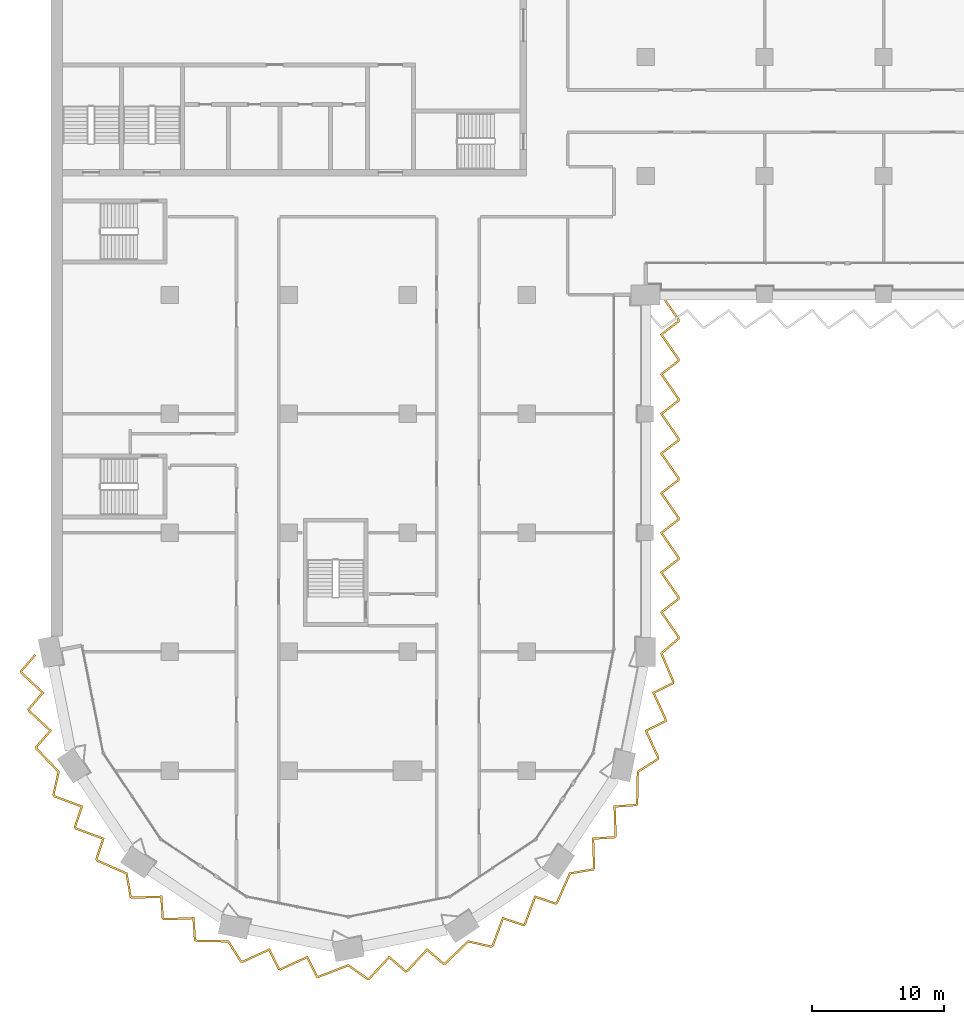
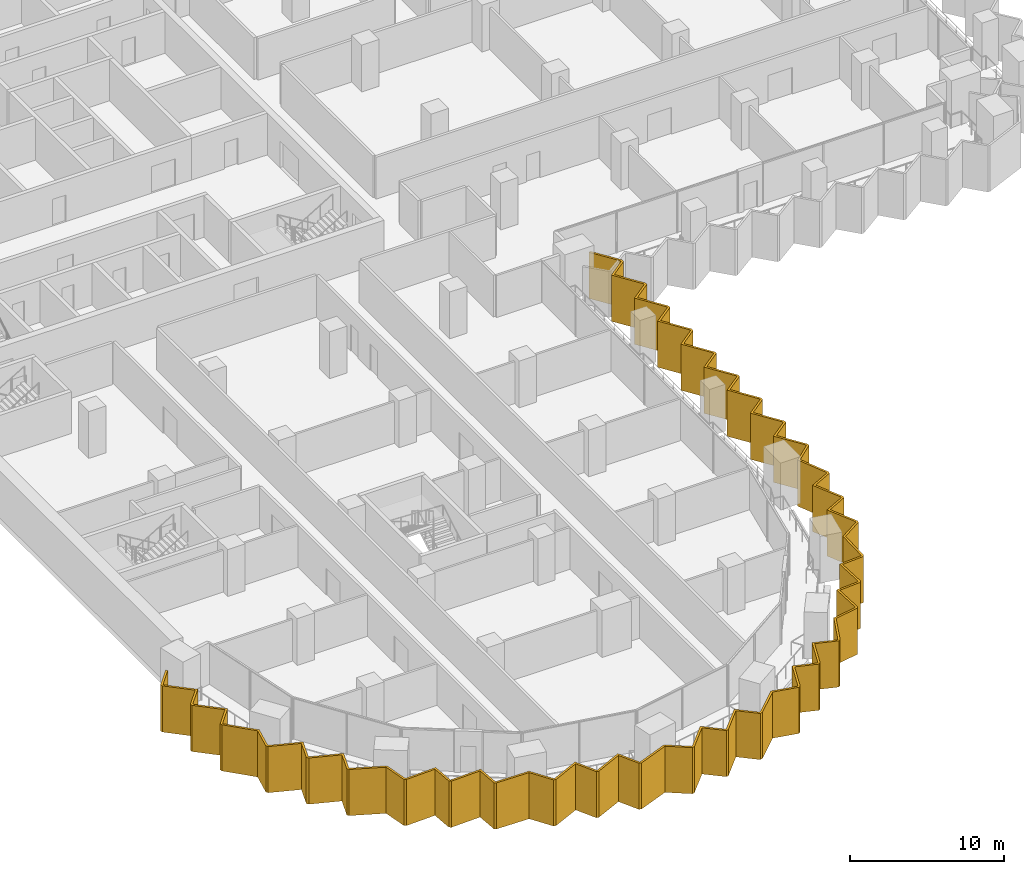
# One storey, part 18 of 22: 1 shading device.
"""IFC4 building model written with IfcOpenShell, lengths in metres."""

from ifc_helpers import new_model, si_unit, direction, frame, origin, place, context, subcontext, project, spatial, polyline, outline, extrude, material, layer, layer_set, type_object, element, save


model = new_model("IFC4")

# Units and contexts
model_context = context("Model", 3, precision=1e-05, world=origin(), true_north=direction((0.0, 1.0)))
body_context = subcontext(model_context, "Body", "Model", "MODEL_VIEW")
ifc_project = project(units=[si_unit("LENGTHUNIT", "METRE"), si_unit("AREAUNIT", "SQUARE_METRE"), si_unit("VOLUMEUNIT", "CUBIC_METRE"), si_unit("PLANEANGLEUNIT", "RADIAN"), si_unit("MASSUNIT", "GRAM", prefix="KILO")], contexts=[model_context])

# Site, building, storey
site_placement = place(None, origin())
site = spatial("IfcSite", under=ifc_project, at=site_placement, CompositionType="ELEMENT")
building_placement = place(site_placement, origin())
building = spatial("IfcBuilding", under=site, at=building_placement, Name="Hunhe Ridgeline Campus", CompositionType="ELEMENT")
storey_placement = place(building_placement, frame((0.0, 0.0, 114.39990234375)))
storey = spatial("IfcBuildingStorey", under=building, at=storey_placement, Name="L28", CompositionType="ELEMENT", Elevation=114.39990234375)

# Shading device
ifc_material = material(Name="Concrete C50", Category="concrete")
ifc_layer = layer(ifc_material, 0.14990234375)
ifc_layer_set = layer_set([ifc_layer], Name="Sawtooth concrete fin 150 Concrete C50")
shading_device_type = type_object("IfcShadingDeviceType", Name="Sawtooth concrete fin 150 Concrete C50", PredefinedType="USERDEFINED", material=ifc_layer_set)
shading_device_placement = place(storey_placement, frame((0.0, 0.0, -0.949951171875)))
element("IfcShadingDevice", 1, at=shading_device_placement, inside=storey, type_object=shading_device_type, Name="Concrete fin screen 1", ObjectType="FIN", PredefinedType="USERDEFINED", context=body_context, shape_type="SweptSolid", body=[
    extrude(outline(polyline([(-1.109619140625, 26.71875), (-1.222412109375, 26.8173828125), (-2.326416015625, 25.55322265625), (-2.291015625, 25.37548828125), (-0.699462890625, 23.892578125), (-1.75537109375, 22.68310546875), (-1.719970703125, 22.50537109375), (-0.12841796875, 21.0224609375), (-1.1845703125, 19.81298828125), (-1.149658203125, 19.6376953125), (0.5107421875, 17.90283203125), (0.119873046875, 16.15869140625), (0.2177734375, 16.01220703125), (2.255859375, 15.2509765625), (1.742919921875, 13.7294921875), (1.843505859375, 13.578857421875), (3.881591796875, 12.81787109375), (3.36865234375, 11.29638671875), (3.468017578125, 11.147705078125), (5.666015625, 10.180419921875), (5.97216796875, 8.41943359375), (6.11865234375, 8.321533203125), (8.29296875, 8.398193359375), (8.4013671875, 6.79638671875), (8.552001953125, 6.69580078125), (10.72607421875, 6.7724609375), (10.83447265625, 5.17041015625), (10.983154296875, 5.0712890625), (13.384033203125, 5.018798828125), (14.3408203125, 3.5087890625), (14.513671875, 3.474609375), (16.492919921875, 4.37744140625), (17.2060546875, 2.93896484375), (17.3837890625, 2.903564453125), (19.363037109375, 3.806396484375), (20.076416015625, 2.367919921875), (20.251708984375, 2.333251953125), (22.48974609375, 3.203369140625), (23.951416015625, 2.174560546875), (24.12451171875, 2.208984375), (25.607421875, 3.800537109375), (26.81689453125, 2.74462890625), (26.99462890625, 2.780029296875), (28.4775390625, 4.37158203125), (29.68701171875, 3.3154296875), (29.8623046875, 3.350341796875), (31.59716796875, 5.0107421875), (33.34130859375, 4.619873046875), (33.48779296875, 4.7177734375), (34.2490234375, 6.755859375), (35.7705078125, 6.242919921875), (35.921142578125, 6.343505859375), (36.68212890625, 8.381591796875), (38.20361328125, 7.86865234375), (38.352294921875, 7.968017578125), (39.319580078125, 10.166015625), (41.08056640625, 10.47216796875), (41.178466796875, 10.61865234375), (41.101806640625, 12.79296875), (42.70361328125, 12.9013671875), (42.80419921875, 13.052001953125), (42.7275390625, 15.22607421875), (44.32958984375, 15.33447265625), (44.4287109375, 15.483154296875), (44.481201171875, 17.884033203125), (45.9912109375, 18.8408203125), (46.025390625, 19.013671875), (45.12255859375, 20.992919921875), (46.56103515625, 21.7060546875), (46.596435546875, 21.8837890625), (45.693603515625, 23.863037109375), (47.132080078125, 24.576416015625), (47.1669921875, 24.752685546875), (46.279052734375, 26.861572265625), (47.56396484375, 27.967529296875), (47.56396484375, 28.1455078125), (46.291015625, 29.984130859375), (47.56396484375, 30.965087890625), (47.56396484375, 31.1455078125), (46.291015625, 32.984130859375), (47.56396484375, 33.965087890625), (47.56396484375, 34.1455078125), (46.291015625, 35.984130859375), (47.56396484375, 36.965087890625), (47.56396484375, 37.1455078125), (46.291015625, 38.984130859375), (47.56396484375, 39.965087890625), (47.56396484375, 40.1455078125), (46.291015625, 41.984130859375), (47.56396484375, 42.965087890625), (47.56396484375, 43.1455078125), (46.291015625, 44.984130859375), (47.56396484375, 45.965087890625), (47.56396484375, 46.1455078125), (46.291015625, 47.984130859375), (47.56396484375, 48.965087890625), (47.56396484375, 49.1455078125), (46.291015625, 50.984130859375), (47.56396484375, 51.965087890625), (47.56396484375, 52.1455078125), (46.25048828125, 54.042724609375), (46.127197265625, 53.957275390625), (47.413818359375, 52.0986328125), (47.413818359375, 52.038818359375), (46.086669921875, 51.015869140625), (47.413818359375, 49.0986328125), (47.413818359375, 49.038818359375), (46.086669921875, 48.015869140625), (47.413818359375, 46.0986328125), (47.413818359375, 46.038818359375), (46.086669921875, 45.015869140625), (47.413818359375, 43.0986328125), (47.413818359375, 43.038818359375), (46.086669921875, 42.015869140625), (47.413818359375, 40.0986328125), (47.413818359375, 40.038818359375), (46.086669921875, 39.015869140625), (47.413818359375, 37.0986328125), (47.413818359375, 37.038818359375), (46.086669921875, 36.015869140625), (47.413818359375, 34.0986328125), (47.413818359375, 34.038818359375), (46.086669921875, 33.015869140625), (47.413818359375, 31.0986328125), (47.413818359375, 31.038818359375), (46.086669921875, 30.015869140625), (47.413818359375, 28.0986328125), (47.413818359375, 28.036376953125), (46.0986328125, 26.904052734375), (47.010986328125, 24.73681640625), (46.999267578125, 24.677978515625), (45.496826171875, 23.932861328125), (46.43994140625, 21.865478515625), (46.428466796875, 21.807861328125), (44.92578125, 21.062744140625), (45.868896484375, 18.995361328125), (45.8564453125, 18.93310546875), (44.3330078125, 17.967529296875), (44.27978515625, 15.530029296875), (44.245849609375, 15.479248046875), (42.572509765625, 15.365966796875), (42.652587890625, 13.094970703125), (42.619873046875, 13.046142578125), (40.94677734375, 12.9326171875), (41.02685546875, 10.661865234375), (40.991455078125, 10.60888671875), (39.214599609375, 10.300048828125), (38.232666015625, 8.068359375), (38.181640625, 8.034423828125), (36.59228515625, 8.570068359375), (35.79736328125, 6.44140625), (35.74853515625, 6.40869140625), (34.1591796875, 6.9443359375), (33.3642578125, 4.815673828125), (33.311279296875, 4.7802734375), (31.551513671875, 5.1748046875), (29.790283203125, 3.489013671875), (29.730224609375, 3.47705078125), (28.466796875, 4.580078125), (26.917724609375, 2.91748046875), (26.860107421875, 2.906005859375), (25.5966796875, 4.009033203125), (24.047607421875, 2.3466796875), (23.985107421875, 2.334228515625), (22.51025390625, 3.372314453125), (20.238037109375, 2.48876953125), (20.177978515625, 2.500732421875), (19.432861328125, 4.003173828125), (17.365478515625, 3.06005859375), (17.307861328125, 3.071533203125), (16.562744140625, 4.57421875), (14.495361328125, 3.631103515625), (14.43310546875, 3.6435546875), (13.467529296875, 5.1669921875), (11.030029296875, 5.22021484375), (10.979248046875, 5.254150390625), (10.865966796875, 6.927490234375), (8.594970703125, 6.847412109375), (8.546142578125, 6.880126953125), (8.4326171875, 8.55322265625), (6.161865234375, 8.47314453125), (6.10888671875, 8.508544921875), (5.800048828125, 10.285400390625), (3.568359375, 11.267333984375), (3.534423828125, 11.318359375), (4.070068359375, 12.90771484375), (1.94140625, 13.70263671875), (1.90869140625, 13.75146484375), (2.4443359375, 15.3408203125), (0.315673828125, 16.1357421875), (0.2802734375, 16.188720703125), (0.6748046875, 17.948486328125), (-1.010986328125, 19.709716796875), (-1.02294921875, 19.769775390625), (0.080078125, 21.033203125), (-1.58251953125, 22.582275390625), (-1.593994140625, 22.639892578125), (-0.490966796875, 23.9033203125), (-2.1533203125, 25.452392578125), (-2.164794921875, 25.510009765625), (-1.109619140625, 26.71875)])), origin(), (0.0, 0.0, 1.0), 3.650146484375),
])

save(model, "model.ifc")
